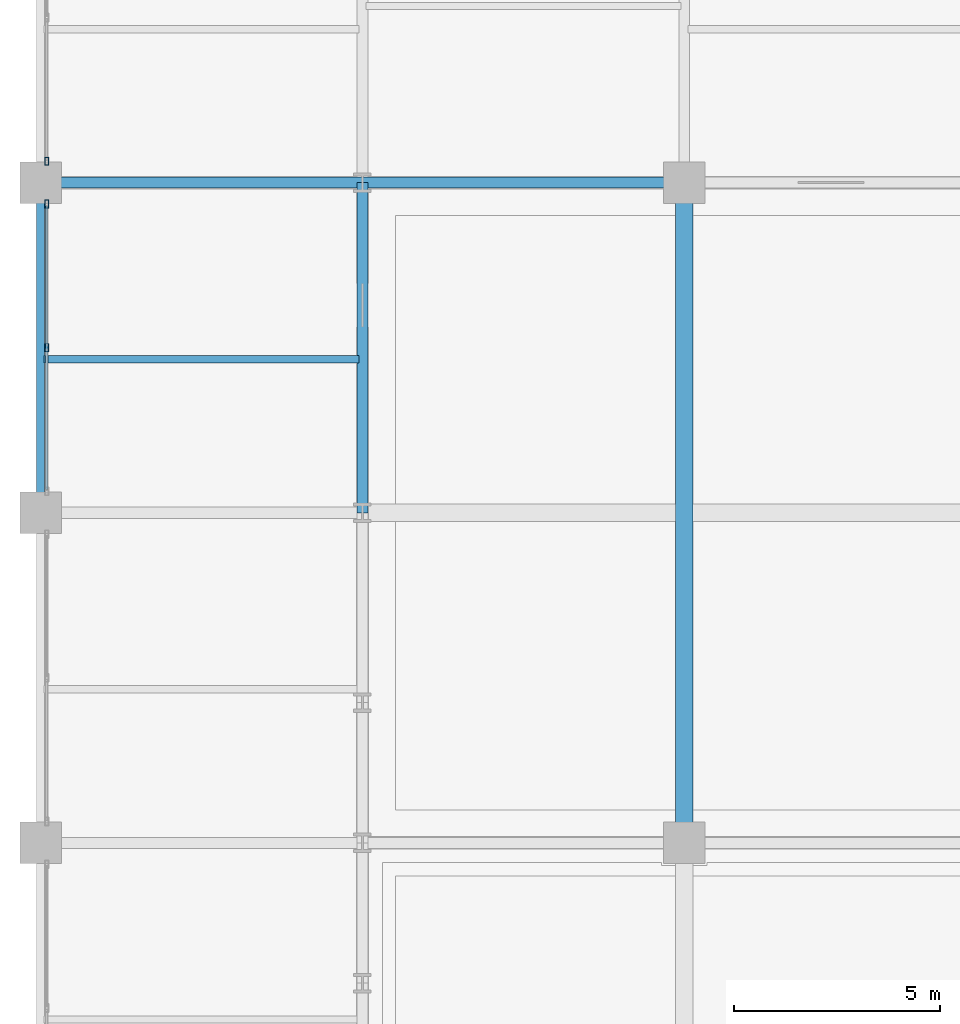
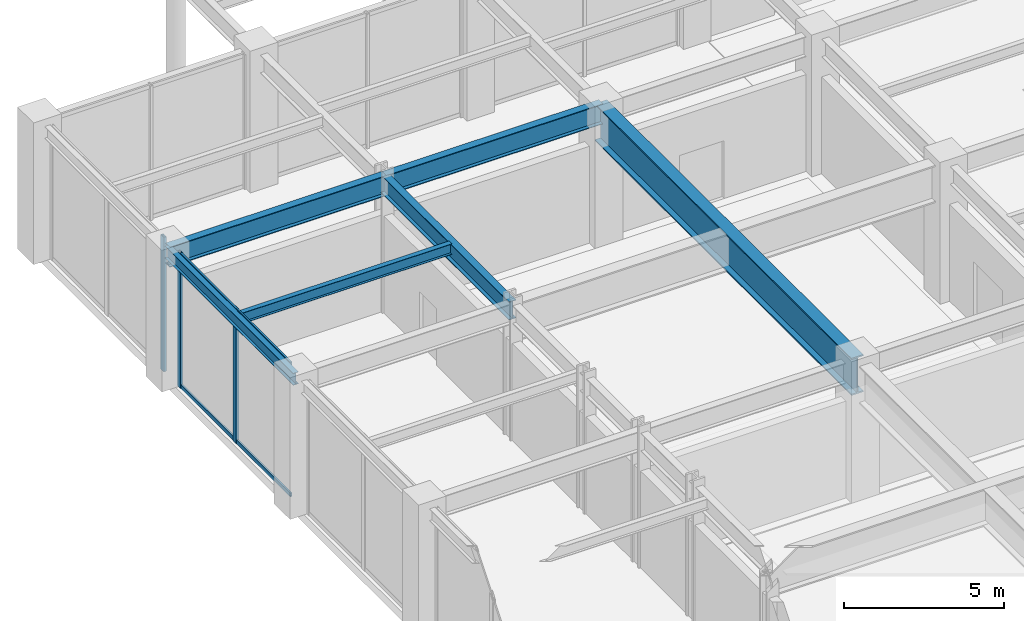
# One storey, part 12 of 27: 6 beams, 5 members, 2 elements without a shape of their own.
"""IFC4 building model written with IfcOpenShell, lengths in metres."""

from ifc_helpers import new_model, si_unit, direction, frame, origin, origin_2d, place, context, subcontext, project, spatial, hollow_rectangle, i_section, extrude, material, layer, layer_set, material_profile, profile_set, type_object, element, aggregate, save


model = new_model("IFC4")

# Units and contexts
model_context = context("Model", 3, precision=1e-05, world=origin(), true_north=direction((0.0, 1.0)))
body_context = subcontext(model_context, "Body", "Model", "MODEL_VIEW")
ifc_project = project(units=[si_unit("LENGTHUNIT", "METRE"), si_unit("AREAUNIT", "SQUARE_METRE"), si_unit("VOLUMEUNIT", "CUBIC_METRE"), si_unit("PLANEANGLEUNIT", "RADIAN"), si_unit("MASSUNIT", "GRAM", prefix="KILO")], contexts=[model_context])

# Site, building, storey
site_placement = place(None, origin())
site = spatial("IfcSite", under=ifc_project, at=site_placement, CompositionType="ELEMENT")
building_placement = place(site_placement, origin())
building = spatial("IfcBuilding", under=site, at=building_placement, Name="Veymaron Broadcast Tower", CompositionType="ELEMENT")
storey_placement = place(building_placement, origin())
storey = spatial("IfcBuildingStorey", under=building, at=storey_placement, Name="L00", CompositionType="ELEMENT", Elevation=0.0)

# Beams
ifc_material_1 = material(Name="Structural steel ASTM A992 Gr 50", Category="steel")
ifc_material_profile_1 = material_profile(ifc_material_1, i_section(OverallWidth=0.177978515625, OverallDepth=0.406982421875, WebThickness=0.0078125, FlangeThickness=0.0126953125, at=origin_2d()), Name="W410X60")
ifc_profile_set_1 = profile_set([ifc_material_profile_1], Name="Structural steel ASTM A992 Gr 50")
beam_type_1 = type_object("IfcBeamType", Name="BM-JS1", PredefinedType="JOIST", material=ifc_profile_set_1)
beam_1_placement = place(storey_placement, frame((0.0849609375, 35.719970703125, 4.91650390625), z_axis=(1.0, 0.0, 0.0), x_axis=(0.0, 1.0, 0.0)))
element("IfcBeam", 1, at=beam_1_placement, inside=storey, type_object=beam_type_1, Name="L00 podium secondary floor joist", PredefinedType="JOIST", context=body_context, shape_type="SweptSolid", body=[
    extrude(i_section(OverallWidth=0.177978515625, OverallDepth=0.406982421875, WebThickness=0.0078125, FlangeThickness=0.0126953125, at=origin_2d()), origin(), (0.0, 0.0, 1.0), 7.630126953125),
])
ifc_material_profile_2 = material_profile(ifc_material_1, i_section(OverallWidth=0.26806640625, OverallDepth=0.77001953125, WebThickness=0.015625, FlangeThickness=0.025390625, at=origin_2d()), Name="W760X196")
ifc_profile_set_2 = profile_set([ifc_material_profile_2], Name="Structural steel ASTM A992 Gr 50")
beam_type_2 = type_object("IfcBeamType", Name="BM-PG1", PredefinedType="BEAM", material=ifc_profile_set_2)
for number, where, z_axis, x_axis, name in (
    (2, (0.0, 40.0, 4.735107421875), (1.0, 0.0, 0.0), (0.0, 1.0, 0.0), "L00 podium primary X-girder"),
    (3, (7.800048828125, 40.0, 4.735107421875), (1.0, 0.0, 0.0), (0.0, 1.0, 0.0), "L00 podium primary X-girder"),
):
    element("IfcBeam", number, at=place(storey_placement, frame(where, z_axis=z_axis, x_axis=x_axis)), inside=storey, type_object=beam_type_2, Name=name, PredefinedType="BEAM", context=body_context, shape_type="SweptSolid", body=[
        extrude(i_section(OverallWidth=0.26806640625, OverallDepth=0.77001953125, WebThickness=0.015625, FlangeThickness=0.025390625, at=origin_2d()), origin(), (0.0, 0.0, 1.0), 7.800048828125),
    ])
ifc_material_profile_3 = material_profile(ifc_material_1, i_section(OverallWidth=0.256103515625, OverallDepth=0.693115234375, WebThickness=0.014404296875, FlangeThickness=0.023681640625, at=origin_2d()), Name="W690X170")
ifc_profile_set_3 = profile_set([ifc_material_profile_3], Name="Structural steel ASTM A992 Gr 50")
beam_type_3 = type_object("IfcBeamType", Name="BM-PG2", PredefinedType="BEAM", material=ifc_profile_set_3)
beam_2_placement = place(storey_placement, frame((7.800048828125, 32.0, 4.7734375), z_axis=(0.0, 1.0, 0.0), x_axis=(-1.0, 0.0, 0.0)))
element("IfcBeam", 4, at=beam_2_placement, inside=storey, type_object=beam_type_3, Name="L00 podium primary Y-girder", PredefinedType="BEAM", context=body_context, shape_type="SweptSolid", body=[
    extrude(i_section(OverallWidth=0.256103515625, OverallDepth=0.693115234375, WebThickness=0.014404296875, FlangeThickness=0.023681640625, at=origin_2d()), origin(), (0.0, 0.0, 1.0), 8.0),
])
ifc_material_profile_4 = material_profile(ifc_material_1, i_section(OverallWidth=0.19091796875, OverallDepth=0.4599609375, WebThickness=0.010009765625, FlangeThickness=0.01611328125, at=origin_2d()), Name="W460X82")
ifc_profile_set_4 = profile_set([ifc_material_profile_4], Name="Structural steel ASTM A992 Gr 50")
beam_type_4 = type_object("IfcBeamType", Name="BM-SP1", PredefinedType="SPANDREL", material=ifc_profile_set_4)
beam_3_placement = place(storey_placement, frame((0.0, 32.0, 4.889892578125), z_axis=(0.0, 1.0, 0.0), x_axis=(-1.0, 0.0, 0.0)))
element("IfcBeam", 5, at=beam_3_placement, inside=storey, type_object=beam_type_4, Name="L00 podium primary Y-girder", PredefinedType="SPANDREL", context=body_context, shape_type="SweptSolid", body=[
    extrude(i_section(OverallWidth=0.19091796875, OverallDepth=0.4599609375, WebThickness=0.010009765625, FlangeThickness=0.01611328125, at=origin_2d()), origin(), (0.0, 0.0, 1.0), 8.0),
])
ifc_material_2 = material(Name="Structural steel ASTM A913 Gr 65", Category="steel")
ifc_material_profile_5 = material_profile(ifc_material_2, i_section(OverallWidth=0.429931640625, OverallDepth=1.419921875, WebThickness=0.030029296875, FlangeThickness=0.050048828125, at=origin_2d()), Name="W1400X550")
ifc_profile_set_5 = profile_set([ifc_material_profile_5], Name="Structural steel ASTM A913 Gr 65")
beam_type_5 = type_object("IfcBeamType", Name="BM-TG0", PredefinedType="BEAM", material=ifc_profile_set_5)
beam_4_placement = place(storey_placement, frame((15.60009765625, 24.0, 4.409912109375), z_axis=(0.0, 1.0, 0.0), x_axis=(-1.0, 0.0, 0.0)))
element("IfcBeam", 6, at=beam_4_placement, inside=storey, type_object=beam_type_5, Name="L00 podium primary Y-girder", PredefinedType="BEAM", context=body_context, shape_type="SweptSolid", body=[
    extrude(i_section(OverallWidth=0.429931640625, OverallDepth=1.419921875, WebThickness=0.030029296875, FlangeThickness=0.050048828125, at=origin_2d()), origin(), (0.0, 0.0, 1.0), 16.0),
])

# Curtain wall, members
ifc_material_3 = material(Name="Anodised aluminium AA 6063-T6 and laminated low-E dark glass", Category="aluminium")
ifc_layer = layer(ifc_material_3, 0.179931640625)
ifc_layer_set = layer_set([ifc_layer], Name="Anodised aluminium AA 6063-T6 and laminated low-E dark glass")
curtain_wall_type = type_object("IfcCurtainWallType", Name="CW-SYS-01", PredefinedType="NOTDEFINED", material=ifc_layer_set)
curtain_wall_1_placement = place(storey_placement, origin())
curtain_wall_1 = element("IfcCurtainWall", 7, at=curtain_wall_1_placement, inside=storey, type_object=curtain_wall_type, Name="L00 dark-glass curtain wall CW-L00-09", PredefinedType="NOTDEFINED")
ifc_material_4 = material(Name="Anodised aluminium AA 6063-T6", Category="aluminium")
ifc_material_profile_6 = material_profile(ifc_material_4, hollow_rectangle(XDim=0.10009765625, YDim=0.199951171875, WallThickness=0.010009765625, at=origin_2d()), Name="RHS200X100X10")
ifc_profile_set_6 = profile_set([ifc_material_profile_6], Name="Anodised aluminium AA 6063-T6")
member_type_1 = type_object("IfcMemberType", Name="CW-MUL-01", PredefinedType="MULLION", material=ifc_profile_set_6)
member_1_placement = place(storey_placement, frame((0.14990234375, 36.0, 0.0), z_axis=(0.0, 0.0, 1.0), x_axis=(1.0, 0.0, 0.0)))
member_1 = element("IfcMember", 8, at=member_1_placement, type_object=member_type_1, Name="CW-L00-09 mullion 1", PredefinedType="MULLION", context=body_context, shape_type="SweptSolid", body=[
    extrude(hollow_rectangle(XDim=0.10009765625, YDim=0.199951171875, WallThickness=0.010009765625, at=origin_2d()), origin(), (0.0, 0.0, 1.0), 5.1201171875),
])
member_2_placement = place(storey_placement, frame((0.14990234375, 39.48193359375, 0.0), z_axis=(0.0, 0.0, 1.0), x_axis=(1.0, 0.0, 0.0)))
member_2 = element("IfcMember", 9, at=member_2_placement, type_object=member_type_1, Name="CW-L00-09 mullion 2", PredefinedType="MULLION", context=body_context, shape_type="SweptSolid", body=[
    extrude(hollow_rectangle(XDim=0.10009765625, YDim=0.199951171875, WallThickness=0.010009765625, at=origin_2d()), origin(), (0.0, 0.0, 1.0), 5.1201171875),
])

# Curtain wall, member
curtain_wall_2_placement = place(storey_placement, origin())
curtain_wall_2 = element("IfcCurtainWall", 10, at=curtain_wall_2_placement, inside=storey, type_object=curtain_wall_type, Name="L00 dark-glass curtain wall CW-L00-10", PredefinedType="NOTDEFINED")
member_3_placement = place(storey_placement, frame((0.14990234375, 40.51806640625, 0.0), z_axis=(0.0, 0.0, 1.0), x_axis=(1.0, 0.0, 0.0)))
member_3 = element("IfcMember", 11, at=member_3_placement, type_object=member_type_1, Name="CW-L00-10 mullion 0", PredefinedType="MULLION", context=body_context, shape_type="SweptSolid", body=[
    extrude(hollow_rectangle(XDim=0.10009765625, YDim=0.199951171875, WallThickness=0.010009765625, at=origin_2d()), origin(), (0.0, 0.0, 1.0), 5.1201171875),
])
aggregate(curtain_wall_2, [member_3])

# Member
ifc_material_profile_7 = material_profile(ifc_material_4, hollow_rectangle(XDim=0.06494140625, YDim=0.14990234375, WallThickness=0.00390625, at=origin_2d()), Name="AL150X65X4")
ifc_profile_set_7 = profile_set([ifc_material_profile_7], Name="Anodised aluminium AA 6063-T6")
member_type_2 = type_object("IfcMemberType", Name="CW-TRN-01", PredefinedType="USERDEFINED", material=ifc_profile_set_7)
member_4_placement = place(storey_placement, frame((0.14990234375, 32.568115234375, 0.070068359375), z_axis=(0.0, 1.0, 0.0), x_axis=(-1.0, 0.0, 0.0)))
member_4 = element("IfcMember", 12, at=member_4_placement, type_object=member_type_2, Name="CW-L00-09 transom B", ObjectType="TRANSOM", PredefinedType="USERDEFINED", context=body_context, shape_type="SweptSolid", body=[
    extrude(hollow_rectangle(XDim=0.06494140625, YDim=0.14990234375, WallThickness=0.00390625, at=origin_2d()), origin(), (0.0, 0.0, 1.0), 6.86376953125),
])

member_5_placement = place(storey_placement, frame((0.14990234375, 32.568115234375, 5.050048828125), z_axis=(0.0, 1.0, 0.0), x_axis=(-1.0, 0.0, 0.0)))
member_5 = element("IfcMember", 13, at=member_5_placement, type_object=member_type_2, Name="CW-L00-09 transom T", ObjectType="TRANSOM", PredefinedType="USERDEFINED", context=body_context, shape_type="SweptSolid", body=[
    extrude(hollow_rectangle(XDim=0.06494140625, YDim=0.14990234375, WallThickness=0.00390625, at=origin_2d()), origin(), (0.0, 0.0, 1.0), 6.86376953125),
])

aggregate(curtain_wall_1, [member_1, member_2, member_4, member_5])

save(model, "model.ifc")
